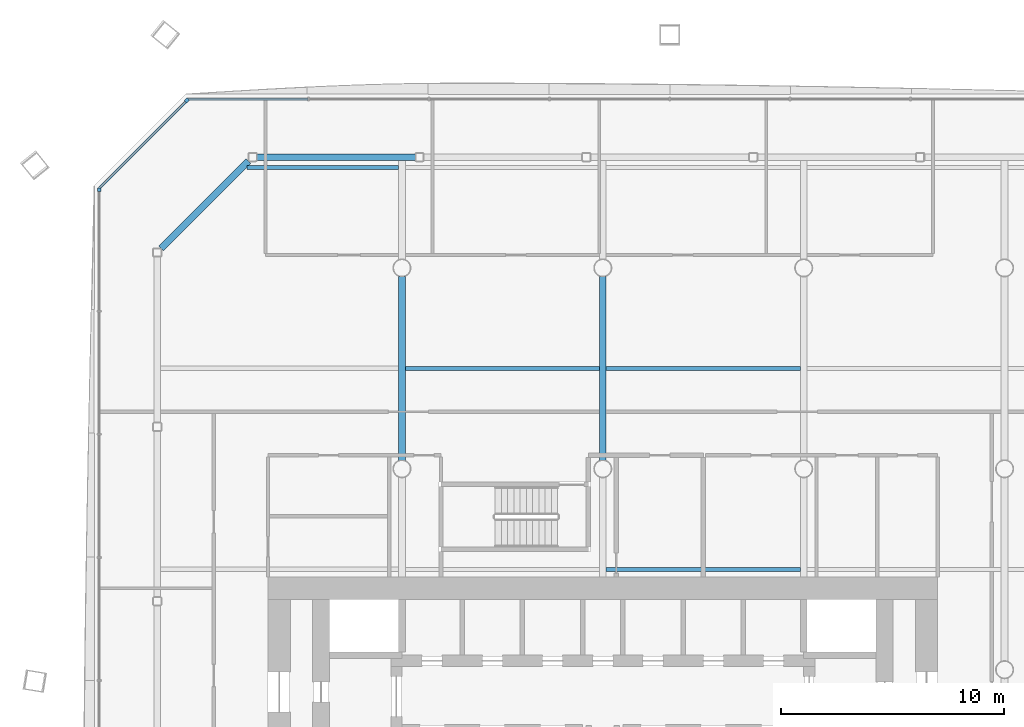
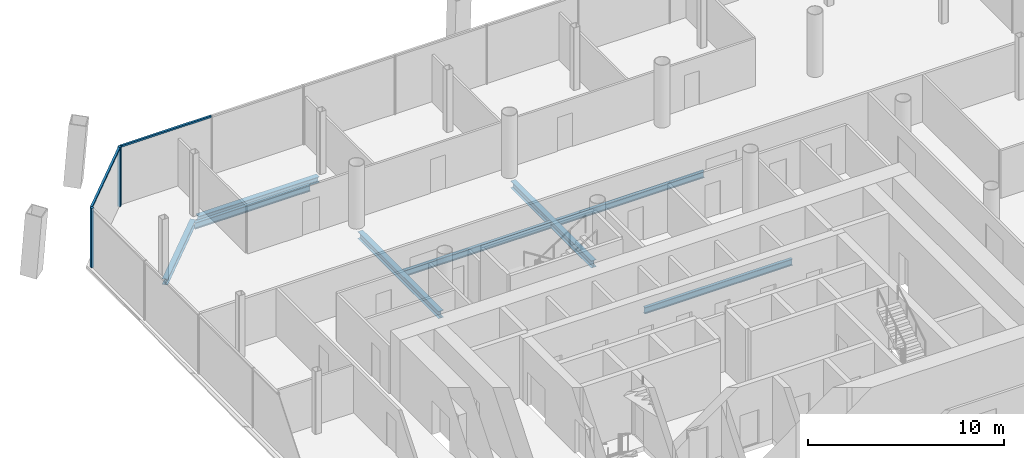
# One storey, part 8 of 20: 8 beams, 4 members, 3 elements without a shape of their own.
"""IFC4 building model written with IfcOpenShell, lengths in metres."""

import ifcopenshell
import ifcopenshell.guid

model = None  # the IFC model being written
_history = None  # IfcOwnerHistory: only IFC2X3 demands one
_inside = {}  # id of a spatial element -> (the spatial element, [elements in it])
_under = {}  # id of a project, library or spatial element -> (it, [spatial elements below it])
_declared = {}  # id of a project -> (the project, [libraries it declares])
_typed = {}  # id of a type object -> (the type object, [elements of that type])
_made_of = {}  # id of a material, layer set ... -> (it, [elements and type objects made of it])


def new_model(schema):
    """Start an empty IFC model of exactly this schema.

    Asked for "IFC4X3", IfcOpenShell would pick the latest addendum, in which some entities
    have other attributes; the version numbers below select the first issue.
    IFC2X3 requires an IfcOwnerHistory on every rooted entity: one is made here for all.
    """
    global model, _history
    if schema == "IFC4X3":
        model = ifcopenshell.file(schema_version=(4, 3, 0, 0))
    else:
        model = ifcopenshell.file(schema=schema)
    _inside.clear()
    _under.clear()
    _declared.clear()
    _typed.clear()
    _made_of.clear()
    _history = None
    if model.schema == "IFC2X3":
        org = make("IfcOrganization", Name="unknown")
        user = make(
            "IfcPersonAndOrganization",
            ThePerson=make("IfcPerson", FamilyName="unknown"),
            TheOrganization=org,
        )
        app = make(
            "IfcApplication",
            ApplicationDeveloper=org,
            Version="unknown",
            ApplicationFullName="unknown",
            ApplicationIdentifier="unknown",
        )
        _history = make(
            "IfcOwnerHistory",
            OwningUser=user,
            OwningApplication=app,
            ChangeAction="ADDED",
            CreationDate=0,
        )
    return model


def make(cls, **values):
    """One entity of the class cls with the attributes given. An attribute that is None is left unset."""
    return model.create_entity(
        cls, **{name: value for name, value in values.items() if value is not None}
    )


def rooted(cls, **values):
    """An entity with a GlobalId (a new one), such as an element, a storey or a relation."""
    return make(cls, GlobalId=ifcopenshell.guid.new(), OwnerHistory=_history, **values)


def si_unit(unit_type, name, prefix=None):
    """IfcSIUnit, for example si_unit("LENGTHUNIT", "METRE", prefix="MILLI")."""
    return make("IfcSIUnit", UnitType=unit_type, Prefix=prefix, Name=name)


def assignment(units):
    """IfcUnitAssignment: the units of a project."""
    return None if units is None else make("IfcUnitAssignment", Units=units)


def point(xyz):
    """IfcCartesianPoint."""
    return None if xyz is None else make("IfcCartesianPoint", Coordinates=xyz)


def direction(xyz):
    """IfcDirection."""
    return None if xyz is None else make("IfcDirection", DirectionRatios=xyz)


def frame(location, z_axis=None, x_axis=None):
    """IfcAxis2Placement3D, a coordinate frame: its origin and axes. An axis left out is left unset."""
    return make(
        "IfcAxis2Placement3D",
        Location=point(location),
        Axis=direction(z_axis),
        RefDirection=direction(x_axis),
    )


def frame_2d(location, x_axis=None):
    """IfcAxis2Placement2D, a coordinate frame in the plane: its origin and x axis."""
    return make(
        "IfcAxis2Placement2D", Location=point(location), RefDirection=direction(x_axis)
    )


def origin():
    """The frame at (0, 0, 0) with its axes left unset."""
    return frame((0.0, 0.0, 0.0))


def origin_2d():
    """The frame at (0, 0) in the plane with its x axis left unset."""
    return frame_2d((0.0, 0.0))


def place(relative_to, where):
    """IfcLocalPlacement: puts the frame where relative to a parent placement (None: the world)."""
    return make(
        "IfcLocalPlacement", PlacementRelTo=relative_to, RelativePlacement=where
    )


def context(
    kind, dimensions, precision=None, world=None, true_north=None, identifier=None
):
    """IfcGeometricRepresentationContext, for example the 3D "Model" context."""
    return make(
        "IfcGeometricRepresentationContext",
        ContextIdentifier=identifier,
        ContextType=kind,
        CoordinateSpaceDimension=dimensions,
        Precision=precision,
        WorldCoordinateSystem=world,
        TrueNorth=true_north,
    )


def subcontext(parent, identifier, kind, view, scale=None):
    """IfcGeometricRepresentationSubContext, for example "Body" below "Model"."""
    return make(
        "IfcGeometricRepresentationSubContext",
        ContextIdentifier=identifier,
        ContextType=kind,
        ParentContext=parent,
        TargetScale=scale,
        TargetView=view,
    )


def project(units=None, contexts=None):
    """IfcProject with its units and contexts."""
    return rooted(
        "IfcProject",
        Name="project",
        RepresentationContexts=contexts,
        UnitsInContext=assignment(units),
    )


def spatial(cls, under=None, at=None, **own):
    """A site, building, storey or space (cls), placed at a placement, below another one or the project."""
    s = rooted(cls, ObjectPlacement=at, **own)
    if under is not None:
        _under.setdefault(under.id(), (under, []))[1].append(s)
    return s


def profile(cls, at=None, kind="AREA", **sizes):
    """A parametric profile (cls). Its sizes go by their IFC names, for example OverallWidth=200.0."""
    return make(cls, ProfileType=kind, Position=at, **sizes)


def rectangle(**sizes):
    """IfcRectangleProfileDef."""
    return profile("IfcRectangleProfileDef", **sizes)


def i_section(**sizes):
    """IfcIShapeProfileDef."""
    return profile("IfcIShapeProfileDef", **sizes)


def extrude(swept, where, along, depth):
    """IfcExtrudedAreaSolid: the profile swept, set in the frame where, extruded along a direction by depth."""
    return make(
        "IfcExtrudedAreaSolid",
        SweptArea=swept,
        Position=where,
        ExtrudedDirection=direction(along),
        Depth=depth,
    )


def shape(context_of_items, identifier, shape_type, items):
    """IfcShapeRepresentation: the items that make up one representation, for example the "Body"."""
    return make(
        "IfcShapeRepresentation",
        ContextOfItems=context_of_items,
        RepresentationIdentifier=identifier,
        RepresentationType=shape_type,
        Items=items,
    )


def material(Name=None, Category=None):
    """IfcMaterial."""
    return make("IfcMaterial", Name=Name, Category=Category)


def material_profile(
    of_material, cross_section, Name=None, Category=None, Priority=None
):
    """IfcMaterialProfile: a cross section and its material."""
    return make(
        "IfcMaterialProfile",
        Name=Name,
        Material=of_material,
        Profile=cross_section,
        Priority=Priority,
        Category=Category,
    )


def profile_set(profiles, Name=None, composite=None):
    """IfcMaterialProfileSet."""
    return make(
        "IfcMaterialProfileSet",
        Name=Name,
        MaterialProfiles=profiles,
        CompositeProfile=composite,
    )


def made_of(thing, what):
    """Note that an element or type object is made of a material, layer set ...; save() writes the relation."""
    if what is not None:
        _made_of.setdefault(what.id(), (what, []))[1].append(thing)
    return thing


def type_object(cls, material=None, **own):
    """A type object (cls), such as IfcWallType, which elements share."""
    return made_of(rooted(cls, **own), material)


def element(
    cls,
    number,
    at=None,
    inside=None,
    cuts=None,
    type_object=None,
    material=None,
    context=None,
    identifier="Body",
    shape_type=None,
    held_by="IfcProductDefinitionShape",
    body=None,
    shapes=None,
    **own,
):
    """One element of the class cls, such as IfcWall. Its Tag is "e" and its number.

    at: its placement. inside: the storey or other place that contains it. cuts: it is an
    opening in that element (IfcRelVoidsElement). A single representation is given by context,
    identifier, shape_type and body (its items); several are given by shapes. held_by: the class
    of the entity that holds the representations. save() writes the other relations.
    """
    e = rooted(cls, Tag="e%d" % number, ObjectPlacement=at, **own)
    if body is not None:
        shapes = [shape(context, identifier, shape_type, body)]
    if shapes is not None:
        e.Representation = make(held_by, Representations=shapes)
    if inside is not None:
        _inside.setdefault(inside.id(), (inside, []))[1].append(e)
    if cuts is not None:
        rooted(
            "IfcRelVoidsElement", RelatingBuildingElement=cuts, RelatedOpeningElement=e
        )
    if type_object is not None:
        _typed.setdefault(type_object.id(), (type_object, []))[1].append(e)
    return made_of(e, material)


def aggregate(whole, parts):
    """IfcRelAggregates: a whole, such as a stair, and the parts it consists of."""
    return rooted("IfcRelAggregates", RelatingObject=whole, RelatedObjects=parts)


def save(model, path):
    """Write the relations noted so far, then the file.

    IfcRelAggregates (storeys below a building ...), IfcRelContainedInSpatialStructure (elements
    in a storey), IfcRelDefinesByType, IfcRelAssociatesMaterial and IfcRelDeclares: one each for
    every whole, place, type object, material and project.
    """
    for whole, parts in _under.values():
        aggregate(whole, parts)
    for where, things in _inside.values():
        rooted(
            "IfcRelContainedInSpatialStructure",
            RelatedElements=things,
            RelatingStructure=where,
        )
    for kind, things in _typed.values():
        rooted("IfcRelDefinesByType", RelatedObjects=things, RelatingType=kind)
    for what, things in _made_of.values():
        rooted("IfcRelAssociatesMaterial", RelatedObjects=things, RelatingMaterial=what)
    for by, libraries in _declared.values():
        rooted("IfcRelDeclares", RelatingContext=by, RelatedDefinitions=libraries)
    model.write(path)


model = new_model("IFC4")

# Units and contexts
model_context = context("Model", 3, precision=1e-05, world=origin(), true_north=direction((0.0, 1.0)))
body_context = subcontext(model_context, "Body", "Model", "MODEL_VIEW")
ifc_project = project(units=[si_unit("LENGTHUNIT", "METRE"), si_unit("AREAUNIT", "SQUARE_METRE"), si_unit("VOLUMEUNIT", "CUBIC_METRE"), si_unit("PLANEANGLEUNIT", "RADIAN"), si_unit("MASSUNIT", "GRAM", prefix="KILO")], contexts=[model_context])

# Site, building, storey
site_placement = place(None, origin())
site = spatial("IfcSite", under=ifc_project, at=site_placement, CompositionType="ELEMENT")
building_placement = place(site_placement, origin())
building = spatial("IfcBuilding", under=site, at=building_placement, Name="Tskaro Facet Tower", CompositionType="ELEMENT")
storey_placement = place(building_placement, frame((0.0, 0.0, 66.0)))
storey = spatial("IfcBuildingStorey", under=building, at=storey_placement, Name="L15", CompositionType="ELEMENT", Elevation=66.0)

# Curtain wall, member
ifc_material_1 = material(Name="Bronze anodised aluminium 6063-T6", Category="aluminium")
curtain_wall_type = type_object("IfcCurtainWallType", Name="Bronze office curtain wall (FW1)", PredefinedType="NOTDEFINED", material=ifc_material_1)
curtain_wall_1_placement = place(storey_placement, origin())
curtain_wall_1 = element("IfcCurtainWall", 1, at=curtain_wall_1_placement, inside=storey, type_object=curtain_wall_type, Name="FW1 north-west facet L15", PredefinedType="NOTDEFINED")
ifc_material_profile_1 = material_profile(ifc_material_1, rectangle(XDim=0.159912109375, YDim=0.159912109375, at=origin_2d()), Name="Corner post 160x160")
ifc_profile_set_1 = profile_set([ifc_material_profile_1], Name="Bronze anodised aluminium 6063-T6")
member_type_1 = type_object("IfcMemberType", Name="FW1 bronze corner post 160x160", PredefinedType="MULLION", material=ifc_profile_set_1)
member_1_placement = place(storey_placement, frame((-18.630615234375, 25.50244140625, 0.0), z_axis=(0.0, 0.0, 1.0), x_axis=(-0.707106781187, -0.707106781187, 0.0)))
member_1 = element("IfcMember", 2, at=member_1_placement, type_object=member_type_1, Name="FW1 north-west corner post", PredefinedType="MULLION", context=body_context, shape_type="SweptSolid", body=[
    extrude(rectangle(XDim=0.159912109375, YDim=0.159912109375, at=origin_2d()), origin(), (0.0, 0.0, 1.0), 3.699951171875),
])

curtain_wall_2_placement = place(storey_placement, origin())
curtain_wall_2 = element("IfcCurtainWall", 3, at=curtain_wall_2_placement, inside=storey, type_object=curtain_wall_type, Name="FW1 west facet L15", PredefinedType="NOTDEFINED")
member_2_placement = place(storey_placement, frame((-22.55908203125, 21.493896484375, 0.0), z_axis=(0.0, 0.0, 1.0), x_axis=(0.0, -1.0, 0.0)))
member_2 = element("IfcMember", 4, at=member_2_placement, type_object=member_type_1, Name="FW1 west corner post", PredefinedType="MULLION", context=body_context, shape_type="SweptSolid", body=[
    extrude(rectangle(XDim=0.159912109375, YDim=0.159912109375, at=origin_2d()), origin(), (0.0, 0.0, 1.0), 3.699951171875),
])
aggregate(curtain_wall_2, [member_2])

curtain_wall_3_placement = place(storey_placement, origin())
curtain_wall_3 = element("IfcCurtainWall", 5, at=curtain_wall_3_placement, inside=storey, type_object=curtain_wall_type, Name="FW1 north facet L15", PredefinedType="NOTDEFINED")
ifc_material_profile_2 = material_profile(ifc_material_1, rectangle(XDim=0.1201171875, YDim=0.10009765625, at=origin_2d()), Name="Transom 120x100")
ifc_profile_set_2 = profile_set([ifc_material_profile_2], Name="Bronze anodised aluminium 6063-T6")
member_type_2 = type_object("IfcMemberType", Name="FW1 bronze transom 120x100", PredefinedType="USERDEFINED", material=ifc_profile_set_2)
member_3_placement = place(storey_placement, frame((-13.21044921875, 25.55908203125, 3.64990234375), z_axis=(-1.0, 0.0, 0.0), x_axis=(0.0, -1.0, 0.0)))
member_3 = element("IfcMember", 6, at=member_3_placement, type_object=member_type_2, Name="FW1 north transom 8.1", ObjectType="TRANSOM", PredefinedType="USERDEFINED", context=body_context, shape_type="SweptSolid", body=[
    extrude(rectangle(XDim=0.1201171875, YDim=0.10009765625, at=origin_2d()), origin(), (0.0, 0.0, 1.0), 5.363525390625),
])
aggregate(curtain_wall_3, [member_3])

# Member
member_4_placement = place(storey_placement, frame((-18.687255859375, 25.44580078125, 3.64990234375), z_axis=(-0.707106781187, -0.707106781187, 0.0), x_axis=(0.707106781187, -0.707106781187, 0.0)))
member_4 = element("IfcMember", 7, at=member_4_placement, type_object=member_type_2, Name="FW1 north-west transom 1.1", ObjectType="TRANSOM", PredefinedType="USERDEFINED", context=body_context, shape_type="SweptSolid", body=[
    extrude(rectangle(XDim=0.1201171875, YDim=0.10009765625, at=origin_2d()), origin(), (0.0, 0.0, 1.0), 5.4755859375),
])

aggregate(curtain_wall_1, [member_1, member_4])

# Beams
ifc_material_2 = material(Name="Steel S355J2", Category="steel")
ifc_material_profile_3 = material_profile(ifc_material_2, i_section(OverallWidth=0.300048828125, OverallDepth=0.360107421875, WebThickness=0.012451171875, FlangeThickness=0.0224609375, FilletRadius=0.027099609375, at=origin_2d()), Name="HE 360 B")
ifc_profile_set_3 = profile_set([ifc_material_profile_3], Name="Steel S355J2")
beam_type_1 = type_object("IfcBeamType", Name="HE 360 B ring beam", PredefinedType="BEAM", material=ifc_profile_set_3)
beam_1_placement = place(storey_placement, frame((-8.39404296875, 22.965087890625, -0.320068359375), z_axis=(-1.0, 0.0, 0.0), x_axis=(0.0, -1.0, 0.0)))
element("IfcBeam", 8, at=beam_1_placement, inside=storey, type_object=beam_type_1, Name="HE 360 B EB17-2", PredefinedType="BEAM", context=body_context, shape_type="SweptSolid", body=[
    extrude(i_section(OverallWidth=0.300048828125, OverallDepth=0.360107421875, WebThickness=0.012451171875, FlangeThickness=0.0224609375, FilletRadius=0.027099609375, at=origin_2d()), origin(), (0.0, 0.0, 1.0), 7.115966796875),
])
beam_2_placement = place(storey_placement, frame((-15.8759765625, 22.779052734375, -0.320068359375), z_axis=(-0.707106781187, -0.707106781187, 0.0), x_axis=(0.707106781187, -0.707106781187, 0.0)))
element("IfcBeam", 9, at=beam_2_placement, inside=storey, type_object=beam_type_1, Name="HE 360 B EB18-2", PredefinedType="BEAM", context=body_context, shape_type="SweptSolid", body=[
    extrude(i_section(OverallWidth=0.300048828125, OverallDepth=0.360107421875, WebThickness=0.012451171875, FlangeThickness=0.0224609375, FilletRadius=0.027099609375, at=origin_2d()), origin(), (0.0, 0.0, 1.0), 5.519775390625),
])
ifc_material_profile_4 = material_profile(ifc_material_2, i_section(OverallWidth=0.300048828125, OverallDepth=0.43994140625, WebThickness=0.011474609375, FlangeThickness=0.02099609375, FilletRadius=0.027099609375, at=origin_2d()), Name="HE 450 A")
ifc_profile_set_4 = profile_set([ifc_material_profile_4], Name="Steel S355J2")
beam_type_2 = type_object("IfcBeamType", Name="HE 450 A girder", PredefinedType="BEAM", material=ifc_profile_set_4)
for number, where, z_axis, x_axis, name in (
    (10, (-9.0, 9.37646484375, -0.360107421875), (0.0, 1.0, 0.0), (-1.0, 0.0, 0.0), "HE 450 A GB3-4-2"),
    (11, (0.0, 9.37646484375, -0.360107421875), (0.0, 1.0, 0.0), (-1.0, 0.0, 0.0), "HE 450 A GB4-4-2"),
):
    element("IfcBeam", number, at=place(storey_placement, frame(where, z_axis=z_axis, x_axis=x_axis)), inside=storey, type_object=beam_type_2, Name=name, PredefinedType="BEAM", context=body_context, shape_type="SweptSolid", body=[
        extrude(i_section(OverallWidth=0.300048828125, OverallDepth=0.43994140625, WebThickness=0.011474609375, FlangeThickness=0.02099609375, FilletRadius=0.027099609375, at=origin_2d()), origin(), (0.0, 0.0, 1.0), 8.2470703125),
    ])
ifc_material_profile_5 = material_profile(ifc_material_2, i_section(OverallWidth=0.179931640625, OverallDepth=0.39990234375, WebThickness=0.008544921875, FlangeThickness=0.013427734375, FilletRadius=0.02099609375, at=origin_2d()), Name="IPE 400")
ifc_profile_set_5 = profile_set([ifc_material_profile_5], Name="Steel S355J2")
beam_type_3 = type_object("IfcBeamType", Name="IPE 400 secondary beam", PredefinedType="BEAM", material=ifc_profile_set_5)
for number, where, z_axis, x_axis, name in (
    (12, (0.14990234375, 4.5, -0.340087890625), (1.0, 0.0, 0.0), (0.0, 1.0, 0.0), "IPE 400 SB4a-3-2"),
    (13, (-8.85009765625, 13.5, -0.340087890625), (1.0, 0.0, 0.0), (0.0, 1.0, 0.0), "IPE 400 SB5a-2-2"),
    (14, (0.14990234375, 13.5, -0.340087890625), (1.0, 0.0, 0.0), (0.0, 1.0, 0.0), "IPE 400 SB5a-3-2"),
):
    element("IfcBeam", number, at=place(storey_placement, frame(where, z_axis=z_axis, x_axis=x_axis)), inside=storey, type_object=beam_type_3, Name=name, PredefinedType="BEAM", context=body_context, shape_type="SweptSolid", body=[
        extrude(i_section(OverallWidth=0.179931640625, OverallDepth=0.39990234375, WebThickness=0.008544921875, FlangeThickness=0.013427734375, FilletRadius=0.02099609375, at=origin_2d()), origin(), (0.0, 0.0, 1.0), 8.7001953125),
    ])
beam_3_placement = place(storey_placement, frame((-15.943115234375, 22.5, -0.340087890625), z_axis=(1.0, 0.0, 0.0), x_axis=(0.0, 1.0, 0.0)))
element("IfcBeam", 15, at=beam_3_placement, inside=storey, type_object=beam_type_3, Name="IPE 400 SB6a-1-2", PredefinedType="BEAM", context=body_context, shape_type="SweptSolid", body=[
    extrude(i_section(OverallWidth=0.179931640625, OverallDepth=0.39990234375, WebThickness=0.008544921875, FlangeThickness=0.013427734375, FilletRadius=0.02099609375, at=origin_2d()), origin(), (0.0, 0.0, 1.0), 6.793212890625),
])

save(model, "model.ifc")
